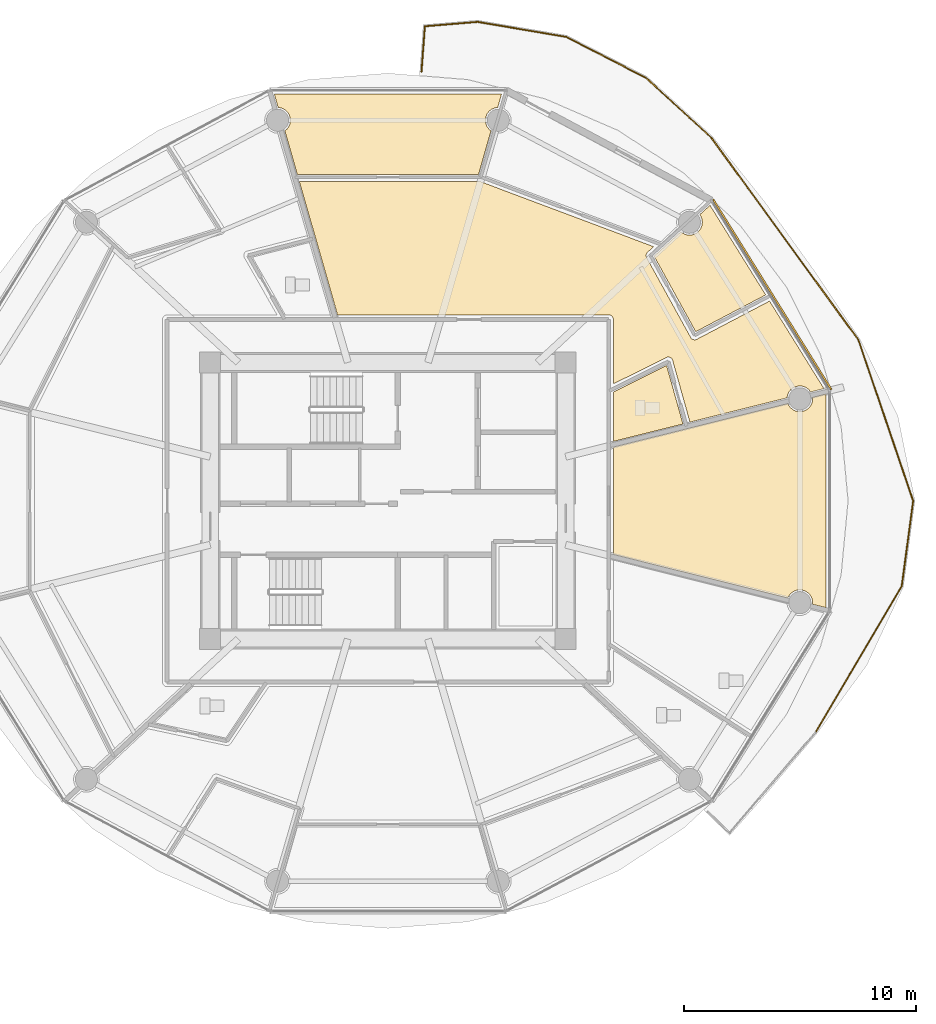
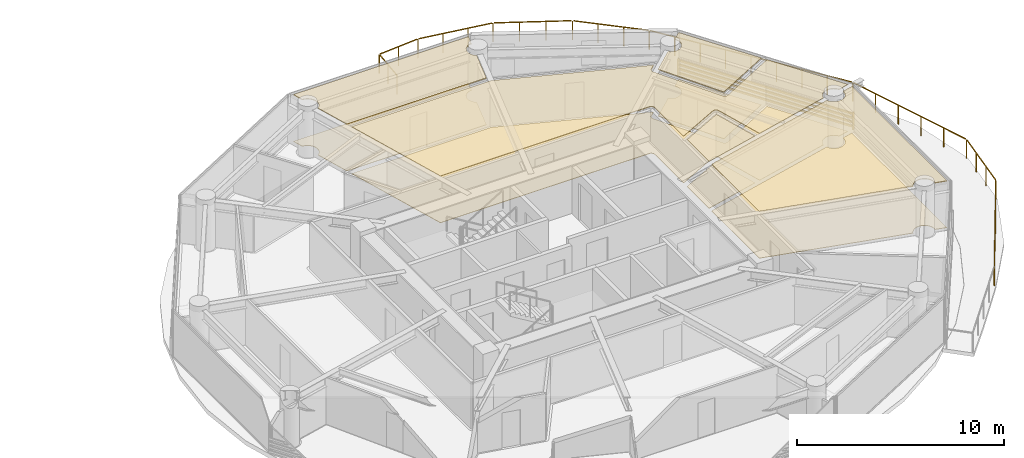
# One storey, part 29 of 31: 10 coverings, 1 railing, 1 shading device.
"""IFC4 building model written with IfcOpenShell, lengths in metres."""

import ifcopenshell
import ifcopenshell.guid

model = None  # the IFC model being written
_history = None  # IfcOwnerHistory: only IFC2X3 demands one
_inside = {}  # id of a spatial element -> (the spatial element, [elements in it])
_under = {}  # id of a project, library or spatial element -> (it, [spatial elements below it])
_declared = {}  # id of a project -> (the project, [libraries it declares])
_typed = {}  # id of a type object -> (the type object, [elements of that type])
_made_of = {}  # id of a material, layer set ... -> (it, [elements and type objects made of it])


def new_model(schema):
    """Start an empty IFC model of exactly this schema.

    Asked for "IFC4X3", IfcOpenShell would pick the latest addendum, in which some entities
    have other attributes; the version numbers below select the first issue.
    IFC2X3 requires an IfcOwnerHistory on every rooted entity: one is made here for all.
    """
    global model, _history
    if schema == "IFC4X3":
        model = ifcopenshell.file(schema_version=(4, 3, 0, 0))
    else:
        model = ifcopenshell.file(schema=schema)
    _inside.clear()
    _under.clear()
    _declared.clear()
    _typed.clear()
    _made_of.clear()
    _history = None
    if model.schema == "IFC2X3":
        org = make("IfcOrganization", Name="unknown")
        user = make(
            "IfcPersonAndOrganization",
            ThePerson=make("IfcPerson", FamilyName="unknown"),
            TheOrganization=org,
        )
        app = make(
            "IfcApplication",
            ApplicationDeveloper=org,
            Version="unknown",
            ApplicationFullName="unknown",
            ApplicationIdentifier="unknown",
        )
        _history = make(
            "IfcOwnerHistory",
            OwningUser=user,
            OwningApplication=app,
            ChangeAction="ADDED",
            CreationDate=0,
        )
    return model


def make(cls, **values):
    """One entity of the class cls with the attributes given. An attribute that is None is left unset."""
    return model.create_entity(
        cls, **{name: value for name, value in values.items() if value is not None}
    )


def rooted(cls, **values):
    """An entity with a GlobalId (a new one), such as an element, a storey or a relation."""
    return make(cls, GlobalId=ifcopenshell.guid.new(), OwnerHistory=_history, **values)


def si_unit(unit_type, name, prefix=None):
    """IfcSIUnit, for example si_unit("LENGTHUNIT", "METRE", prefix="MILLI")."""
    return make("IfcSIUnit", UnitType=unit_type, Prefix=prefix, Name=name)


def assignment(units):
    """IfcUnitAssignment: the units of a project."""
    return None if units is None else make("IfcUnitAssignment", Units=units)


def point(xyz):
    """IfcCartesianPoint."""
    return None if xyz is None else make("IfcCartesianPoint", Coordinates=xyz)


def direction(xyz):
    """IfcDirection."""
    return None if xyz is None else make("IfcDirection", DirectionRatios=xyz)


def frame(location, z_axis=None, x_axis=None):
    """IfcAxis2Placement3D, a coordinate frame: its origin and axes. An axis left out is left unset."""
    return make(
        "IfcAxis2Placement3D",
        Location=point(location),
        Axis=direction(z_axis),
        RefDirection=direction(x_axis),
    )


def frame_2d(location, x_axis=None):
    """IfcAxis2Placement2D, a coordinate frame in the plane: its origin and x axis."""
    return make(
        "IfcAxis2Placement2D", Location=point(location), RefDirection=direction(x_axis)
    )


def origin():
    """The frame at (0, 0, 0) with its axes left unset."""
    return frame((0.0, 0.0, 0.0))


def origin_2d():
    """The frame at (0, 0) in the plane with its x axis left unset."""
    return frame_2d((0.0, 0.0))


def place(relative_to, where):
    """IfcLocalPlacement: puts the frame where relative to a parent placement (None: the world)."""
    return make(
        "IfcLocalPlacement", PlacementRelTo=relative_to, RelativePlacement=where
    )


def context(
    kind, dimensions, precision=None, world=None, true_north=None, identifier=None
):
    """IfcGeometricRepresentationContext, for example the 3D "Model" context."""
    return make(
        "IfcGeometricRepresentationContext",
        ContextIdentifier=identifier,
        ContextType=kind,
        CoordinateSpaceDimension=dimensions,
        Precision=precision,
        WorldCoordinateSystem=world,
        TrueNorth=true_north,
    )


def subcontext(parent, identifier, kind, view, scale=None):
    """IfcGeometricRepresentationSubContext, for example "Body" below "Model"."""
    return make(
        "IfcGeometricRepresentationSubContext",
        ContextIdentifier=identifier,
        ContextType=kind,
        ParentContext=parent,
        TargetScale=scale,
        TargetView=view,
    )


def project(units=None, contexts=None):
    """IfcProject with its units and contexts."""
    return rooted(
        "IfcProject",
        Name="project",
        RepresentationContexts=contexts,
        UnitsInContext=assignment(units),
    )


def spatial(cls, under=None, at=None, **own):
    """A site, building, storey or space (cls), placed at a placement, below another one or the project."""
    s = rooted(cls, ObjectPlacement=at, **own)
    if under is not None:
        _under.setdefault(under.id(), (under, []))[1].append(s)
    return s


def polyline(points):
    """IfcPolyline through the points."""
    return make("IfcPolyline", Points=[point(p) for p in points])


def profile(cls, at=None, kind="AREA", **sizes):
    """A parametric profile (cls). Its sizes go by their IFC names, for example OverallWidth=200.0."""
    return make(cls, ProfileType=kind, Position=at, **sizes)


def rectangle(**sizes):
    """IfcRectangleProfileDef."""
    return profile("IfcRectangleProfileDef", **sizes)


def outline(outer, holes=None, kind="AREA"):
    """IfcArbitraryClosedProfileDef: a profile drawn as a closed curve; with holes, ...WithVoids."""
    if holes is None:
        return make("IfcArbitraryClosedProfileDef", ProfileType=kind, OuterCurve=outer)
    return make(
        "IfcArbitraryProfileDefWithVoids",
        ProfileType=kind,
        OuterCurve=outer,
        InnerCurves=holes,
    )


def extrude(swept, where, along, depth):
    """IfcExtrudedAreaSolid: the profile swept, set in the frame where, extruded along a direction by depth."""
    return make(
        "IfcExtrudedAreaSolid",
        SweptArea=swept,
        Position=where,
        ExtrudedDirection=direction(along),
        Depth=depth,
    )


def shape(context_of_items, identifier, shape_type, items):
    """IfcShapeRepresentation: the items that make up one representation, for example the "Body"."""
    return make(
        "IfcShapeRepresentation",
        ContextOfItems=context_of_items,
        RepresentationIdentifier=identifier,
        RepresentationType=shape_type,
        Items=items,
    )


def source(mapping_origin, context_of_items, identifier, shape_type, items):
    """IfcRepresentationMap: a shape defined once, which mapped items show again and again."""
    return make(
        "IfcRepresentationMap",
        MappingOrigin=mapping_origin,
        MappedRepresentation=shape(context_of_items, identifier, shape_type, items),
    )


def transform(
    local_origin,
    x_axis=None,
    y_axis=None,
    z_axis=None,
    scale=None,
    scale2=None,
    scale3=None,
    uniform=True,
):
    """IfcCartesianTransformationOperator3D, or its non-uniform kind. x_axis, y_axis, z_axis: its Axis1, 2, 3."""
    if uniform:
        return make(
            "IfcCartesianTransformationOperator3D",
            Axis1=direction(x_axis),
            Axis2=direction(y_axis),
            LocalOrigin=point(local_origin),
            Scale=scale,
            Axis3=direction(z_axis),
        )
    return make(
        "IfcCartesianTransformationOperator3DnonUniform",
        Axis1=direction(x_axis),
        Axis2=direction(y_axis),
        LocalOrigin=point(local_origin),
        Scale=scale,
        Axis3=direction(z_axis),
        Scale2=scale2,
        Scale3=scale3,
    )


def mapped(mapping_source, mapping_target):
    """IfcMappedItem: shows the shape of a source again, moved by a transform."""
    return make(
        "IfcMappedItem", MappingSource=mapping_source, MappingTarget=mapping_target
    )


def material(Name=None, Category=None):
    """IfcMaterial."""
    return make("IfcMaterial", Name=Name, Category=Category)


def layer(
    of_material, thickness, ventilated=None, Name=None, Category=None, Priority=None
):
    """IfcMaterialLayer: one layer of a wall or slab, of a material (None: an air gap)."""
    return make(
        "IfcMaterialLayer",
        Material=of_material,
        LayerThickness=thickness,
        IsVentilated=ventilated,
        Name=Name,
        Category=Category,
        Priority=Priority,
    )


def layer_set(layers, Name=None):
    """IfcMaterialLayerSet."""
    return make("IfcMaterialLayerSet", MaterialLayers=layers, LayerSetName=Name)


def made_of(thing, what):
    """Note that an element or type object is made of a material, layer set ...; save() writes the relation."""
    if what is not None:
        _made_of.setdefault(what.id(), (what, []))[1].append(thing)
    return thing


def type_object(cls, material=None, **own):
    """A type object (cls), such as IfcWallType, which elements share."""
    return made_of(rooted(cls, **own), material)


def type_shapes(of_type, sources):
    """Give a type object the sources (RepresentationMaps) that its elements show as mapped items."""
    of_type.RepresentationMaps = sources


def element(
    cls,
    number,
    at=None,
    inside=None,
    cuts=None,
    type_object=None,
    material=None,
    context=None,
    identifier="Body",
    shape_type=None,
    held_by="IfcProductDefinitionShape",
    body=None,
    shapes=None,
    **own,
):
    """One element of the class cls, such as IfcWall. Its Tag is "e" and its number.

    at: its placement. inside: the storey or other place that contains it. cuts: it is an
    opening in that element (IfcRelVoidsElement). A single representation is given by context,
    identifier, shape_type and body (its items); several are given by shapes. held_by: the class
    of the entity that holds the representations. save() writes the other relations.
    """
    e = rooted(cls, Tag="e%d" % number, ObjectPlacement=at, **own)
    if body is not None:
        shapes = [shape(context, identifier, shape_type, body)]
    if shapes is not None:
        e.Representation = make(held_by, Representations=shapes)
    if inside is not None:
        _inside.setdefault(inside.id(), (inside, []))[1].append(e)
    if cuts is not None:
        rooted(
            "IfcRelVoidsElement", RelatingBuildingElement=cuts, RelatedOpeningElement=e
        )
    if type_object is not None:
        _typed.setdefault(type_object.id(), (type_object, []))[1].append(e)
    return made_of(e, material)


def aggregate(whole, parts):
    """IfcRelAggregates: a whole, such as a stair, and the parts it consists of."""
    return rooted("IfcRelAggregates", RelatingObject=whole, RelatedObjects=parts)


def save(model, path):
    """Write the relations noted so far, then the file.

    IfcRelAggregates (storeys below a building ...), IfcRelContainedInSpatialStructure (elements
    in a storey), IfcRelDefinesByType, IfcRelAssociatesMaterial and IfcRelDeclares: one each for
    every whole, place, type object, material and project.
    """
    for whole, parts in _under.values():
        aggregate(whole, parts)
    for where, things in _inside.values():
        rooted(
            "IfcRelContainedInSpatialStructure",
            RelatedElements=things,
            RelatingStructure=where,
        )
    for kind, things in _typed.values():
        rooted("IfcRelDefinesByType", RelatedObjects=things, RelatingType=kind)
    for what, things in _made_of.values():
        rooted("IfcRelAssociatesMaterial", RelatedObjects=things, RelatingMaterial=what)
    for by, libraries in _declared.values():
        rooted("IfcRelDeclares", RelatingContext=by, RelatedDefinitions=libraries)
    model.write(path)


model = new_model("IFC4")

# Units and contexts
model_context = context("Model", 3, precision=1e-05, world=origin(), true_north=direction((0.0, 1.0)))
body_context = subcontext(model_context, "Body", "Model", "MODEL_VIEW")
ifc_project = project(units=[si_unit("LENGTHUNIT", "METRE"), si_unit("AREAUNIT", "SQUARE_METRE"), si_unit("VOLUMEUNIT", "CUBIC_METRE"), si_unit("PLANEANGLEUNIT", "RADIAN"), si_unit("MASSUNIT", "GRAM", prefix="KILO")], contexts=[model_context])

# Site, building, storey
site_placement = place(None, origin())
site = spatial("IfcSite", under=ifc_project, at=site_placement, CompositionType="ELEMENT")
building_placement = place(site_placement, origin())
building = spatial("IfcBuilding", under=site, at=building_placement, Name="Norrkilde Senior Care Towers", CompositionType="ELEMENT")
storey_placement = place(building_placement, frame((0.0, 0.0, 42.949951171875)))
storey = spatial("IfcBuildingStorey", under=building, at=storey_placement, Name="L12", CompositionType="ELEMENT", Elevation=42.949951171875)

# Coverings
ifc_material_1 = material(Name="Nordic Ash Timber", Category="wood")
ifc_layer_1 = layer(ifc_material_1, 0.044921875)
ifc_layer_set_1 = layer_set([ifc_layer_1], Name="Nordic Ash Timber")
covering_type_1 = type_object("IfcCoveringType", Name="Acoustic Ash Timber Slatted Ceiling 45", PredefinedType="CEILING", material=ifc_layer_set_1)
covering_1_placement = place(storey_placement, frame((0.0, 0.0, 2.7451171875)))
element("IfcCovering", 1, at=covering_1_placement, inside=storey, type_object=covering_type_1, Name="L12 Suspended Ceiling 0203", PredefinedType="CEILING", context=body_context, shape_type="SweptSolid", body=[
    extrude(outline(polyline([(45.244140625, 4.109375), (45.332275390625, 3.99462890625), (45.447265625, 3.90625), (45.5810546875, 3.850830078125), (45.724853515625, 3.83203125), (45.868408203125, 3.850830078125), (46.002197265625, 3.90625), (46.1171875, 3.99462890625), (46.205322265625, 4.109375), (46.2607421875, 4.243408203125), (46.27978515625, 4.386962890625), (46.270751953125, 4.455322265625), (46.850830078125, 4.6005859375), (46.850830078125, -4.6005859375), (46.270751953125, -4.455322265625), (46.27978515625, -4.386962890625), (46.2607421875, -4.243408203125), (46.205322265625, -4.109375), (46.1171875, -3.99462890625), (46.002197265625, -3.90625), (45.868408203125, -3.850830078125), (45.724853515625, -3.83203125), (45.5810546875, -3.850830078125), (45.447265625, -3.90625), (45.332275390625, -3.99462890625), (45.244140625, -4.109375), (45.2109375, -4.189697265625), (37.699951171875, -2.30712890625), (37.699951171875, 2.30712890625), (45.2109375, 4.189697265625), (45.244140625, 4.109375)])), origin(), (0.0, 0.0, 1.0), 0.044921875),
])
covering_2_placement = place(storey_placement, frame((0.0, 0.0, 2.7451171875)))
element("IfcCovering", 2, at=covering_2_placement, inside=storey, type_object=covering_type_1, Name="L12 Suspended Ceiling 0204", PredefinedType="CEILING", context=body_context, shape_type="SweptSolid", body=[
    extrude(outline(polyline([(39.15283203125, 10.67138671875), (39.14599609375, 10.662109375), (39.142333984375, 10.65673828125), (39.13623046875, 10.64697265625), (39.133056640625, 10.64111328125), (39.128173828125, 10.630615234375), (39.12548828125, 10.62451171875), (39.12158203125, 10.61376953125), (39.119384765625, 10.607421875), (39.116455078125, 10.596435546875), (39.115234375, 10.58984375), (39.11328125, 10.57861328125), (39.112548828125, 10.57177734375), (39.111572265625, 10.560546875), (39.111572265625, 10.5537109375), (39.11181640625, 10.542236328125), (39.1123046875, 10.53564453125), (39.11376953125, 10.524169921875), (39.114990234375, 10.517578125), (39.117431640625, 10.506591796875), (39.119140625, 10.5), (39.12255859375, 10.4892578125), (39.125, 10.48291015625), (39.129638671875, 10.472412109375), (39.132568359375, 10.46630859375), (39.13525390625, 10.461181640625), (41.03173828125, 7.0234375), (41.03466796875, 7.0185546875), (41.038330078125, 7.0126953125), (41.044677734375, 7.003173828125), (41.048828125, 6.997802734375), (41.056396484375, 6.98876953125), (41.06103515625, 6.98388671875), (41.0693359375, 6.975830078125), (41.07421875, 6.97119140625), (41.083251953125, 6.9638671875), (41.0888671875, 6.9599609375), (41.0986328125, 6.95361328125), (41.1044921875, 6.949951171875), (41.11474609375, 6.944580078125), (41.120849609375, 6.94189453125), (41.131591796875, 6.9375), (41.137939453125, 6.93505859375), (41.149169921875, 6.931884765625), (41.15576171875, 6.93017578125), (41.1669921875, 6.927978515625), (41.173828125, 6.927001953125), (41.185302734375, 6.92578125), (41.192138671875, 6.925537109375), (41.20361328125, 6.925537109375), (41.21044921875, 6.92578125), (41.22216796875, 6.9267578125), (41.228759765625, 6.927734375), (41.240234375, 6.93017578125), (41.246826171875, 6.931640625), (41.2578125, 6.93505859375), (41.264404296875, 6.937255859375), (41.275146484375, 6.941650390625), (41.28125, 6.944580078125), (41.286376953125, 6.947021484375), (44.422119140625, 8.593505859375), (46.763916015625, 4.826171875), (46.19140625, 4.6826171875), (46.1171875, 4.779541015625), (46.002197265625, 4.86767578125), (45.868408203125, 4.923095703125), (45.724853515625, 4.94189453125), (45.5810546875, 4.923095703125), (45.447265625, 4.86767578125), (45.332275390625, 4.779541015625), (45.244140625, 4.66455078125), (45.188720703125, 4.530517578125), (45.175048828125, 4.427978515625), (40.99755859375, 3.381103515625), (40.251953125, 6.04345703125), (40.250244140625, 6.049072265625), (40.248046875, 6.055419921875), (40.24365234375, 6.06640625), (40.240966796875, 6.07275390625), (40.235595703125, 6.083251953125), (40.232177734375, 6.089111328125), (40.22607421875, 6.098876953125), (40.22216796875, 6.1044921875), (40.21484375, 6.11376953125), (40.21044921875, 6.118896484375), (40.2021484375, 6.12744140625), (40.197265625, 6.132080078125), (40.1884765625, 6.139892578125), (40.18310546875, 6.14404296875), (40.17333984375, 6.150634765625), (40.167724609375, 6.154296875), (40.157470703125, 6.16015625), (40.1513671875, 6.163330078125), (40.140625, 6.16796875), (40.13427734375, 6.17041015625), (40.123291015625, 6.17431640625), (40.11669921875, 6.176025390625), (40.105224609375, 6.1787109375), (40.098388671875, 6.1796875), (40.0869140625, 6.18115234375), (40.080078125, 6.181884765625), (40.068359375, 6.18212890625), (40.0615234375, 6.181884765625), (40.0498046875, 6.18115234375), (40.04296875, 6.180419921875), (40.031494140625, 6.178466796875), (40.024658203125, 6.177001953125), (40.013427734375, 6.173828125), (40.0068359375, 6.171630859375), (39.99609375, 6.16748046875), (39.98974609375, 6.164794921875), (39.984375, 6.162353515625), (37.699951171875, 5.028076171875), (37.699951171875, 7.800048828125), (37.699951171875, 7.805908203125), (37.699462890625, 7.813720703125), (37.6982421875, 7.825439453125), (37.697265625, 7.833251953125), (37.69482421875, 7.8447265625), (37.69287109375, 7.852294921875), (37.689453125, 7.86376953125), (37.68701171875, 7.87109375), (37.682373046875, 7.8818359375), (37.678955078125, 7.888916015625), (37.673583984375, 7.8994140625), (37.66943359375, 7.90625), (37.662841796875, 7.916015625), (37.658203125, 7.92236328125), (37.65087890625, 7.931396484375), (37.6455078125, 7.937255859375), (37.63720703125, 7.945556640625), (37.63134765625, 7.95068359375), (37.622314453125, 7.958251953125), (37.615966796875, 7.962890625), (37.606201171875, 7.969482421875), (37.599365234375, 7.973388671875), (37.589111328125, 7.97900390625), (37.58203125, 7.982421875), (37.571044921875, 7.98681640625), (37.563720703125, 7.989501953125), (37.552490234375, 7.992919921875), (37.544677734375, 7.994873046875), (37.533203125, 7.9970703125), (37.525390625, 7.998291015625), (37.513671875, 7.99951171875), (37.505859375, 7.999755859375), (37.5, 8.0), (25.8330078125, 8.0), (24.189453125, 13.73681640625), (31.971923828125, 13.73681640625), (39.437744140625, 10.93359375), (39.173828125, 10.693603515625), (39.169677734375, 10.689697265625), (39.164794921875, 10.68505859375), (39.1572265625, 10.676513671875), (39.15283203125, 10.67138671875)])), origin(), (0.0, 0.0, 1.0), 0.044921875),
])
covering_3_placement = place(storey_placement, frame((0.0, 0.0, 2.7451171875)))
element("IfcCovering", 3, at=covering_3_placement, inside=storey, type_object=covering_type_1, Name="L12 Suspended Ceiling 0206", PredefinedType="CEILING", context=body_context, shape_type="SweptSolid", body=[
    extrude(outline(polyline([(40.60595703125, 11.575439453125), (40.697998046875, 11.5048828125), (40.831787109375, 11.449462890625), (40.975341796875, 11.430419921875), (41.119140625, 11.449462890625), (41.2529296875, 11.5048828125), (41.367919921875, 11.593017578125), (41.4560546875, 11.7080078125), (41.511474609375, 11.841796875), (41.530517578125, 11.9853515625), (41.511474609375, 12.129150390625), (41.4560546875, 12.262939453125), (41.417724609375, 12.312744140625), (41.860107421875, 12.714599609375), (44.2578125, 8.857421875), (41.246337890625, 7.276123046875), (39.452392578125, 10.528076171875), (40.60595703125, 11.575439453125)])), origin(), (0.0, 0.0, 1.0), 0.044921875),
])
covering_4_placement = place(storey_placement, frame((0.0, 0.0, 2.7451171875)))
element("IfcCovering", 4, at=covering_4_placement, inside=storey, type_object=covering_type_1, Name="L12 Suspended Ceiling 0208", PredefinedType="CEILING", context=body_context, shape_type="SweptSolid", body=[
    extrude(outline(polyline([(32.7236328125, 16.924072265625), (32.605712890625, 16.908447265625), (32.471923828125, 16.85302734375), (32.35693359375, 16.764892578125), (32.268798828125, 16.64990234375), (32.213134765625, 16.51611328125), (32.1943359375, 16.37255859375), (32.213134765625, 16.228759765625), (32.268798828125, 16.094970703125), (32.35693359375, 15.97998046875), (32.435791015625, 15.91943359375), (31.8994140625, 14.046875), (24.1005859375, 14.046875), (23.564208984375, 15.91943359375), (23.64306640625, 15.97998046875), (23.731201171875, 16.094970703125), (23.786865234375, 16.228759765625), (23.8056640625, 16.37255859375), (23.786865234375, 16.51611328125), (23.731201171875, 16.64990234375), (23.64306640625, 16.764892578125), (23.528076171875, 16.85302734375), (23.394287109375, 16.908447265625), (23.2763671875, 16.924072265625), (23.11181640625, 17.49853515625), (32.88818359375, 17.49853515625), (32.7236328125, 16.924072265625)])), origin(), (0.0, 0.0, 1.0), 0.044921875),
])

# Railing
ifc_material_2 = material(Name="Anodised Aluminium", Category="aluminium")
railing_type = type_object("IfcRailingType", Name="Balcony Swirl Ribbon Guardrail 1150", PredefinedType="GUARDRAIL", material=ifc_material_2)
railing_placement = place(storey_placement, frame((29.4453125, 18.463134765625, 0.0)))
element("IfcRailing", 5, at=railing_placement, inside=storey, type_object=railing_type, Name="L12 Perimeter Safety Guard 02", PredefinedType="GUARDRAIL", context=body_context, shape_type="SweptSolid", body=[
    extrude(rectangle(XDim=0.048095703125, YDim=0.048095703125, at=origin_2d()), frame((0.0, 0.0, 1.1259765625), z_axis=(0.073761536389, 0.997275907535, 0.0), x_axis=(-0.997275907535, 0.073761536389, 0.0)), (0.0, 0.0, 1.0), 1.91845703125),
    extrude(rectangle(XDim=0.048095703125, YDim=0.048095703125, at=origin_2d()), frame((0.185302734375, 1.95751953125, 1.1259765625), z_axis=(0.996487013693, 0.083747427075, 0.0), x_axis=(-0.083747427075, 0.996487013693, 0.0)), (0.0, 0.0, 1.0), 2.192138671875),
    extrude(rectangle(XDim=0.048095703125, YDim=0.048095703125, at=origin_2d()), frame((2.45068359375, 2.1376953125, 1.1259765625), z_axis=(0.98593714983, -0.167116535942, 0.0), x_axis=(0.167116535942, 0.98593714983, 0.0)), (0.0, 0.0, 1.0), 3.79248046875),
    extrude(rectangle(XDim=0.048095703125, YDim=0.048095703125, at=origin_2d()), frame((6.2666015625, 1.478271484375, 1.1259765625), z_axis=(0.889380520446, -0.457167682423, 0.0), x_axis=(0.457167682423, 0.889380520446, 0.0)), (0.0, 0.0, 1.0), 3.77294921875),
    extrude(rectangle(XDim=0.048095703125, YDim=0.048095703125, at=origin_2d()), frame((9.688720703125, -0.292724609375, 1.1259765625), z_axis=(0.73774553687, -0.675078901188, 0.0), x_axis=(0.675078901188, 0.73774553687, 0.0)), (0.0, 0.0, 1.0), 3.720703125),
    extrude(rectangle(XDim=0.048095703125, YDim=0.048095703125, at=origin_2d()), frame((12.48779296875, -2.864990234375, 1.1259765625), z_axis=(0.588301086193, -0.808641967736, 0.0), x_axis=(0.808641967736, 0.588301086193, 0.0)), (0.0, 0.0, 1.0), 10.688232421875),
    extrude(rectangle(XDim=0.048095703125, YDim=0.048095703125, at=origin_2d()), frame((18.812744140625, -11.579833984375, 1.1259765625), z_axis=(0.322238979433, -0.946658354494, 0.0), x_axis=(0.946658354494, 0.322238979433, 0.0)), (0.0, 0.0, 1.0), 7.233154296875),
    extrude(rectangle(XDim=0.048095703125, YDim=0.048095703125, at=origin_2d()), frame((21.1513671875, -18.50634765625, 1.1259765625), z_axis=(-0.132706446967, -0.991155385867, 0.0), x_axis=(0.991155385867, -0.132706446967, 0.0)), (0.0, 0.0, 1.0), 3.630859375),
    extrude(rectangle(XDim=0.048095703125, YDim=0.048095703125, at=origin_2d()), frame((20.643310546875, -22.1806640625, 1.1259765625), z_axis=(-0.508219826525, -0.861227384566, 0.0), x_axis=(0.861227384566, -0.508219826525, 0.0)), (0.0, 0.0, 1.0), 7.257568359375),
    extrude(rectangle(XDim=0.0419921875, YDim=0.0419921875, at=origin_2d()), origin(), (0.0, 0.0, 1.0), 1.099853515625),
    extrude(rectangle(XDim=0.0419921875, YDim=0.0419921875, at=origin_2d()), frame((0.072265625, 0.97705078125, 0.0)), (0.0, 0.0, 1.0), 1.099853515625),
    extrude(rectangle(XDim=0.0419921875, YDim=0.0419921875, at=origin_2d()), frame((0.14453125, 1.9541015625, 0.0)), (0.0, 0.0, 1.0), 1.099853515625),
    extrude(rectangle(XDim=0.0419921875, YDim=0.0419921875, at=origin_2d()), frame((1.27734375, 2.04931640625, 0.0)), (0.0, 0.0, 1.0), 1.099853515625),
    extrude(rectangle(XDim=0.0419921875, YDim=0.0419921875, at=origin_2d()), frame((2.410400390625, 2.14453125, 0.0)), (0.0, 0.0, 1.0), 1.099853515625),
    extrude(rectangle(XDim=0.0419921875, YDim=0.0419921875, at=origin_2d()), frame((3.68359375, 1.9287109375, 0.0)), (0.0, 0.0, 1.0), 1.099853515625),
    extrude(rectangle(XDim=0.0419921875, YDim=0.0419921875, at=origin_2d()), frame((4.95703125, 1.712890625, 0.0)), (0.0, 0.0, 1.0), 1.099853515625),
    extrude(rectangle(XDim=0.0419921875, YDim=0.0419921875, at=origin_2d()), frame((6.230224609375, 1.4970703125, 0.0)), (0.0, 0.0, 1.0), 1.099853515625),
    extrude(rectangle(XDim=0.0419921875, YDim=0.0419921875, at=origin_2d()), frame((7.373046875, 0.90966796875, 0.0)), (0.0, 0.0, 1.0), 1.099853515625),
    extrude(rectangle(XDim=0.0419921875, YDim=0.0419921875, at=origin_2d()), frame((8.515625, 0.322265625, 0.0)), (0.0, 0.0, 1.0), 1.099853515625),
    extrude(rectangle(XDim=0.0419921875, YDim=0.0419921875, at=origin_2d()), frame((9.658447265625, -0.26513671875, 0.0)), (0.0, 0.0, 1.0), 1.099853515625),
    extrude(rectangle(XDim=0.0419921875, YDim=0.0419921875, at=origin_2d()), frame((10.593505859375, -1.120849609375, 0.0)), (0.0, 0.0, 1.0), 1.099853515625),
    extrude(rectangle(XDim=0.0419921875, YDim=0.0419921875, at=origin_2d()), frame((11.528564453125, -1.976318359375, 0.0)), (0.0, 0.0, 1.0), 1.099853515625),
    extrude(rectangle(XDim=0.0419921875, YDim=0.0419921875, at=origin_2d()), frame((12.463623046875, -2.83203125, 0.0)), (0.0, 0.0, 1.0), 1.099853515625),
    extrude(rectangle(XDim=0.0419921875, YDim=0.0419921875, at=origin_2d()), frame((13.255615234375, -3.920654296875, 0.0)), (0.0, 0.0, 1.0), 1.099853515625),
    extrude(rectangle(XDim=0.0419921875, YDim=0.0419921875, at=origin_2d()), frame((14.047607421875, -5.00927734375, 0.0)), (0.0, 0.0, 1.0), 1.099853515625),
    extrude(rectangle(XDim=0.0419921875, YDim=0.0419921875, at=origin_2d()), frame((14.839599609375, -6.097900390625, 0.0)), (0.0, 0.0, 1.0), 1.099853515625),
    extrude(rectangle(XDim=0.0419921875, YDim=0.0419921875, at=origin_2d()), frame((15.631591796875, -7.1865234375, 0.0)), (0.0, 0.0, 1.0), 1.099853515625),
    extrude(rectangle(XDim=0.0419921875, YDim=0.0419921875, at=origin_2d()), frame((16.423583984375, -8.275146484375, 0.0)), (0.0, 0.0, 1.0), 1.099853515625),
    extrude(rectangle(XDim=0.0419921875, YDim=0.0419921875, at=origin_2d()), frame((17.215576171875, -9.36376953125, 0.0)), (0.0, 0.0, 1.0), 1.099853515625),
    extrude(rectangle(XDim=0.0419921875, YDim=0.0419921875, at=origin_2d()), frame((18.007568359375, -10.452392578125, 0.0)), (0.0, 0.0, 1.0), 1.099853515625),
    extrude(rectangle(XDim=0.0419921875, YDim=0.0419921875, at=origin_2d()), frame((18.799560546875, -11.541015625, 0.0)), (0.0, 0.0, 1.0), 1.099853515625),
    extrude(rectangle(XDim=0.0419921875, YDim=0.0419921875, at=origin_2d()), frame((19.27099609375, -12.926025390625, 0.0)), (0.0, 0.0, 1.0), 1.099853515625),
    extrude(rectangle(XDim=0.0419921875, YDim=0.0419921875, at=origin_2d()), frame((19.742431640625, -14.31103515625, 0.0)), (0.0, 0.0, 1.0), 1.099853515625),
    extrude(rectangle(XDim=0.0419921875, YDim=0.0419921875, at=origin_2d()), frame((20.2138671875, -15.69580078125, 0.0)), (0.0, 0.0, 1.0), 1.099853515625),
    extrude(rectangle(XDim=0.0419921875, YDim=0.0419921875, at=origin_2d()), frame((20.685302734375, -17.080810546875, 0.0)), (0.0, 0.0, 1.0), 1.099853515625),
    extrude(rectangle(XDim=0.0419921875, YDim=0.0419921875, at=origin_2d()), frame((21.15673828125, -18.4658203125, 0.0)), (0.0, 0.0, 1.0), 1.099853515625),
    extrude(rectangle(XDim=0.0419921875, YDim=0.0419921875, at=origin_2d()), frame((20.992431640625, -19.6923828125, 0.0)), (0.0, 0.0, 1.0), 1.099853515625),
    extrude(rectangle(XDim=0.0419921875, YDim=0.0419921875, at=origin_2d()), frame((20.828369140625, -20.9189453125, 0.0)), (0.0, 0.0, 1.0), 1.099853515625),
    extrude(rectangle(XDim=0.0419921875, YDim=0.0419921875, at=origin_2d()), frame((20.6640625, -22.1455078125, 0.0)), (0.0, 0.0, 1.0), 1.099853515625),
    extrude(rectangle(XDim=0.0419921875, YDim=0.0419921875, at=origin_2d()), frame((19.922119140625, -23.402587890625, 0.0)), (0.0, 0.0, 1.0), 1.099853515625),
    extrude(rectangle(XDim=0.0419921875, YDim=0.0419921875, at=origin_2d()), frame((19.180419921875, -24.65966796875, 0.0)), (0.0, 0.0, 1.0), 1.099853515625),
    extrude(rectangle(XDim=0.0419921875, YDim=0.0419921875, at=origin_2d()), frame((18.4384765625, -25.9169921875, 0.0)), (0.0, 0.0, 1.0), 1.099853515625),
    extrude(rectangle(XDim=0.0419921875, YDim=0.0419921875, at=origin_2d()), frame((17.69677734375, -27.174072265625, 0.0)), (0.0, 0.0, 1.0), 1.099853515625),
    extrude(rectangle(XDim=0.0419921875, YDim=0.0419921875, at=origin_2d()), frame((16.954833984375, -28.43115234375, 0.0)), (0.0, 0.0, 1.0), 1.099853515625),
])

# Coverings
ifc_material_3 = material(Name="Gypsum Acoustic Board")
ifc_layer_2 = layer(ifc_material_3, 0.030029296875)
ifc_layer_set_2 = layer_set([ifc_layer_2], Name="Gypsum Acoustic Board")
covering_type_2 = type_object("IfcCoveringType", Name="Medical Cleanable Gypsum Ceiling 30", PredefinedType="CEILING", material=ifc_layer_set_2)
covering_5_placement = place(storey_placement, frame((0.0, 0.0, 2.760009765625)))
element("IfcCovering", 6, at=covering_5_placement, inside=storey, type_object=covering_type_2, Name="L12 Suspended Ceiling 0205", PredefinedType="CEILING", context=body_context, shape_type="SweptSolid", body=[
    extrude(outline(polyline([(39.992431640625, 5.8203125), (40.69677734375, 3.3056640625), (38.13916015625, 2.664794921875), (37.699951171875, 2.5546875), (37.699951171875, 4.68212890625), (39.992431640625, 5.8203125)])), origin(), (0.0, 0.0, 1.0), 0.030029296875),
])
ifc_material_4 = material(Name="Slip-Resistant Porcelain Stone", Category="masonry")
ifc_layer_3 = layer(ifc_material_4, 0.02490234375)
ifc_layer_set_3 = layer_set([ifc_layer_3], Name="Slip-Resistant Porcelain Stone")
covering_type_3 = type_object("IfcCoveringType", Name="Slip-Resistant Porcelain Flooring 25", PredefinedType="FLOORING", material=ifc_layer_set_3)
covering_6_placement = place(storey_placement, origin())
element("IfcCovering", 7, at=covering_6_placement, inside=storey, type_object=covering_type_3, Name="L12 Floor Finish 0203", PredefinedType="FLOORING", context=body_context, shape_type="SweptSolid", body=[
    extrude(outline(polyline([(45.244140625, 4.109375), (45.332275390625, 3.99462890625), (45.447265625, 3.90625), (45.5810546875, 3.850830078125), (45.724853515625, 3.83203125), (45.868408203125, 3.850830078125), (46.002197265625, 3.90625), (46.1171875, 3.99462890625), (46.205322265625, 4.109375), (46.2607421875, 4.243408203125), (46.27978515625, 4.386962890625), (46.270751953125, 4.455322265625), (46.850830078125, 4.6005859375), (46.850830078125, -4.6005859375), (46.270751953125, -4.455322265625), (46.27978515625, -4.386962890625), (46.2607421875, -4.243408203125), (46.205322265625, -4.109375), (46.1171875, -3.99462890625), (46.002197265625, -3.90625), (45.868408203125, -3.850830078125), (45.724853515625, -3.83203125), (45.5810546875, -3.850830078125), (45.447265625, -3.90625), (45.332275390625, -3.99462890625), (45.244140625, -4.109375), (45.2109375, -4.189697265625), (37.699951171875, -2.30712890625), (37.699951171875, 2.30712890625), (45.2109375, 4.189697265625), (45.244140625, 4.109375)])), origin(), (0.0, 0.0, 1.0), 0.025146484375),
])
covering_7_placement = place(storey_placement, origin())
element("IfcCovering", 8, at=covering_7_placement, inside=storey, type_object=covering_type_3, Name="L12 Floor Finish 0204", PredefinedType="FLOORING", context=body_context, shape_type="SweptSolid", body=[
    extrude(outline(polyline([(39.15283203125, 10.67138671875), (39.14599609375, 10.662109375), (39.142333984375, 10.65673828125), (39.13623046875, 10.64697265625), (39.133056640625, 10.64111328125), (39.128173828125, 10.630615234375), (39.12548828125, 10.62451171875), (39.12158203125, 10.61376953125), (39.119384765625, 10.607421875), (39.116455078125, 10.596435546875), (39.115234375, 10.58984375), (39.11328125, 10.57861328125), (39.112548828125, 10.57177734375), (39.111572265625, 10.560546875), (39.111572265625, 10.5537109375), (39.11181640625, 10.542236328125), (39.1123046875, 10.53564453125), (39.11376953125, 10.524169921875), (39.114990234375, 10.517578125), (39.117431640625, 10.506591796875), (39.119140625, 10.5), (39.12255859375, 10.4892578125), (39.125, 10.48291015625), (39.129638671875, 10.472412109375), (39.132568359375, 10.46630859375), (39.13525390625, 10.461181640625), (41.03173828125, 7.0234375), (41.03466796875, 7.0185546875), (41.038330078125, 7.0126953125), (41.044677734375, 7.003173828125), (41.048828125, 6.997802734375), (41.056396484375, 6.98876953125), (41.06103515625, 6.98388671875), (41.0693359375, 6.975830078125), (41.07421875, 6.97119140625), (41.083251953125, 6.9638671875), (41.0888671875, 6.9599609375), (41.0986328125, 6.95361328125), (41.1044921875, 6.949951171875), (41.11474609375, 6.944580078125), (41.120849609375, 6.94189453125), (41.131591796875, 6.9375), (41.137939453125, 6.93505859375), (41.149169921875, 6.931884765625), (41.15576171875, 6.93017578125), (41.1669921875, 6.927978515625), (41.173828125, 6.927001953125), (41.185302734375, 6.92578125), (41.192138671875, 6.925537109375), (41.20361328125, 6.925537109375), (41.21044921875, 6.92578125), (41.22216796875, 6.9267578125), (41.228759765625, 6.927734375), (41.240234375, 6.93017578125), (41.246826171875, 6.931640625), (41.2578125, 6.93505859375), (41.264404296875, 6.937255859375), (41.275146484375, 6.941650390625), (41.28125, 6.944580078125), (41.286376953125, 6.947021484375), (44.422119140625, 8.593505859375), (46.763916015625, 4.826171875), (46.19140625, 4.6826171875), (46.1171875, 4.779541015625), (46.002197265625, 4.86767578125), (45.868408203125, 4.923095703125), (45.724853515625, 4.94189453125), (45.5810546875, 4.923095703125), (45.447265625, 4.86767578125), (45.332275390625, 4.779541015625), (45.244140625, 4.66455078125), (45.188720703125, 4.530517578125), (45.175048828125, 4.427978515625), (40.99755859375, 3.381103515625), (40.251953125, 6.04345703125), (40.250244140625, 6.049072265625), (40.248046875, 6.055419921875), (40.24365234375, 6.06640625), (40.240966796875, 6.07275390625), (40.235595703125, 6.083251953125), (40.232177734375, 6.089111328125), (40.22607421875, 6.098876953125), (40.22216796875, 6.1044921875), (40.21484375, 6.11376953125), (40.21044921875, 6.118896484375), (40.2021484375, 6.12744140625), (40.197265625, 6.132080078125), (40.1884765625, 6.139892578125), (40.18310546875, 6.14404296875), (40.17333984375, 6.150634765625), (40.167724609375, 6.154296875), (40.157470703125, 6.16015625), (40.1513671875, 6.163330078125), (40.140625, 6.16796875), (40.13427734375, 6.17041015625), (40.123291015625, 6.17431640625), (40.11669921875, 6.176025390625), (40.105224609375, 6.1787109375), (40.098388671875, 6.1796875), (40.0869140625, 6.18115234375), (40.080078125, 6.181884765625), (40.068359375, 6.18212890625), (40.0615234375, 6.181884765625), (40.0498046875, 6.18115234375), (40.04296875, 6.180419921875), (40.031494140625, 6.178466796875), (40.024658203125, 6.177001953125), (40.013427734375, 6.173828125), (40.0068359375, 6.171630859375), (39.99609375, 6.16748046875), (39.98974609375, 6.164794921875), (39.984375, 6.162353515625), (37.699951171875, 5.028076171875), (37.699951171875, 7.800048828125), (37.699951171875, 7.805908203125), (37.699462890625, 7.813720703125), (37.6982421875, 7.825439453125), (37.697265625, 7.833251953125), (37.69482421875, 7.8447265625), (37.69287109375, 7.852294921875), (37.689453125, 7.86376953125), (37.68701171875, 7.87109375), (37.682373046875, 7.8818359375), (37.678955078125, 7.888916015625), (37.673583984375, 7.8994140625), (37.66943359375, 7.90625), (37.662841796875, 7.916015625), (37.658203125, 7.92236328125), (37.65087890625, 7.931396484375), (37.6455078125, 7.937255859375), (37.63720703125, 7.945556640625), (37.63134765625, 7.95068359375), (37.622314453125, 7.958251953125), (37.615966796875, 7.962890625), (37.606201171875, 7.969482421875), (37.599365234375, 7.973388671875), (37.589111328125, 7.97900390625), (37.58203125, 7.982421875), (37.571044921875, 7.98681640625), (37.563720703125, 7.989501953125), (37.552490234375, 7.992919921875), (37.544677734375, 7.994873046875), (37.533203125, 7.9970703125), (37.525390625, 7.998291015625), (37.513671875, 7.99951171875), (37.505859375, 7.999755859375), (37.5, 8.0), (25.8330078125, 8.0), (24.189453125, 13.73681640625), (31.971923828125, 13.73681640625), (39.437744140625, 10.93359375), (39.173828125, 10.693603515625), (39.169677734375, 10.689697265625), (39.164794921875, 10.68505859375), (39.1572265625, 10.676513671875), (39.15283203125, 10.67138671875)])), origin(), (0.0, 0.0, 1.0), 0.025146484375),
])
covering_8_placement = place(storey_placement, origin())
element("IfcCovering", 9, at=covering_8_placement, inside=storey, type_object=covering_type_3, Name="L12 Floor Finish 0205", PredefinedType="FLOORING", context=body_context, shape_type="SweptSolid", body=[
    extrude(outline(polyline([(39.992431640625, 5.8203125), (40.69677734375, 3.3056640625), (38.13916015625, 2.664794921875), (37.699951171875, 2.5546875), (37.699951171875, 4.68212890625), (39.992431640625, 5.8203125)])), origin(), (0.0, 0.0, 1.0), 0.025146484375),
])
covering_9_placement = place(storey_placement, origin())
element("IfcCovering", 10, at=covering_9_placement, inside=storey, type_object=covering_type_3, Name="L12 Floor Finish 0206", PredefinedType="FLOORING", context=body_context, shape_type="SweptSolid", body=[
    extrude(outline(polyline([(40.60595703125, 11.575439453125), (40.697998046875, 11.5048828125), (40.831787109375, 11.449462890625), (40.975341796875, 11.430419921875), (41.119140625, 11.449462890625), (41.2529296875, 11.5048828125), (41.367919921875, 11.593017578125), (41.4560546875, 11.7080078125), (41.511474609375, 11.841796875), (41.530517578125, 11.9853515625), (41.511474609375, 12.129150390625), (41.4560546875, 12.262939453125), (41.417724609375, 12.312744140625), (41.860107421875, 12.714599609375), (44.2578125, 8.857421875), (41.246337890625, 7.276123046875), (39.452392578125, 10.528076171875), (40.60595703125, 11.575439453125)])), origin(), (0.0, 0.0, 1.0), 0.025146484375),
])
covering_10_placement = place(storey_placement, origin())
element("IfcCovering", 11, at=covering_10_placement, inside=storey, type_object=covering_type_3, Name="L12 Floor Finish 0208", PredefinedType="FLOORING", context=body_context, shape_type="SweptSolid", body=[
    extrude(outline(polyline([(32.7236328125, 16.924072265625), (32.605712890625, 16.908447265625), (32.471923828125, 16.85302734375), (32.35693359375, 16.764892578125), (32.268798828125, 16.64990234375), (32.213134765625, 16.51611328125), (32.1943359375, 16.37255859375), (32.213134765625, 16.228759765625), (32.268798828125, 16.094970703125), (32.35693359375, 15.97998046875), (32.435791015625, 15.91943359375), (31.8994140625, 14.046875), (24.1005859375, 14.046875), (23.564208984375, 15.91943359375), (23.64306640625, 15.97998046875), (23.731201171875, 16.094970703125), (23.786865234375, 16.228759765625), (23.8056640625, 16.37255859375), (23.786865234375, 16.51611328125), (23.731201171875, 16.64990234375), (23.64306640625, 16.764892578125), (23.528076171875, 16.85302734375), (23.394287109375, 16.908447265625), (23.2763671875, 16.924072265625), (23.11181640625, 17.49853515625), (32.88818359375, 17.49853515625), (32.7236328125, 16.924072265625)])), origin(), (0.0, 0.0, 1.0), 0.025146484375),
])

# Shading device
ifc_material_5 = material(Name="Architectural Terracotta", Category="masonry")
shading_device_type = type_object("IfcShadingDeviceType", Name="Horizontal Terracotta Baguette Rack", PredefinedType="USERDEFINED", material=ifc_material_5)
shared_shape = source(origin(), body_context, "Body", "SweptSolid", [
    extrude(rectangle(XDim=0.070068359375, YDim=0.110107421875, at=origin_2d()), frame((0.0, 0.090087890625, 0.125), z_axis=(1.0, 0.0, 0.0), x_axis=(0.0, 1.0, 0.0)), (0.0, 0.0, 1.0), 9.64892578125),
    extrude(rectangle(XDim=0.070068359375, YDim=0.110107421875, at=origin_2d()), frame((0.0, 0.090087890625, 0.375), z_axis=(1.0, 0.0, 0.0), x_axis=(0.0, 1.0, 0.0)), (0.0, 0.0, 1.0), 9.64892578125),
    extrude(rectangle(XDim=0.070068359375, YDim=0.110107421875, at=origin_2d()), frame((0.0, 0.090087890625, 0.625), z_axis=(1.0, 0.0, 0.0), x_axis=(0.0, 1.0, 0.0)), (0.0, 0.0, 1.0), 9.64892578125),
    extrude(rectangle(XDim=0.070068359375, YDim=0.110107421875, at=origin_2d()), frame((0.0, 0.090087890625, 0.875), z_axis=(1.0, 0.0, 0.0), x_axis=(0.0, 1.0, 0.0)), (0.0, 0.0, 1.0), 9.64892578125),
    extrude(rectangle(XDim=0.050048828125, YDim=0.1552734375, at=origin_2d()), frame((0.02490234375, 0.047607421875, 0.0)), (0.0, 0.0, 1.0), 1.0),
    extrude(rectangle(XDim=0.050048828125, YDim=0.1552734375, at=origin_2d()), frame((9.6240234375, 0.047607421875, 0.0)), (0.0, 0.0, 1.0), 1.0),
])
type_shapes(shading_device_type, [shared_shape])
shading_device_placement = place(storey_placement, frame((41.915771484375, 12.926025390625, 0.080078125), z_axis=(0.0, 0.0, 1.0), x_axis=(0.527908506655, -0.849299124538, 0.0)))
element("IfcShadingDevice", 12, at=shading_device_placement, inside=storey, type_object=shading_device_type, Name="L12 Drum E Terracotta Baguette Screen 00", ObjectType="BAGUETTE", PredefinedType="USERDEFINED", context=body_context, shape_type="MappedRepresentation", body=[
    mapped(shared_shape, transform((0.0, 0.0, 0.0), x_axis=(1.0, 0.0, 0.0), y_axis=(0.0, 1.0, 0.0), z_axis=(0.0, 0.0, 1.0), scale=1.0)),
])

save(model, "model.ifc")
